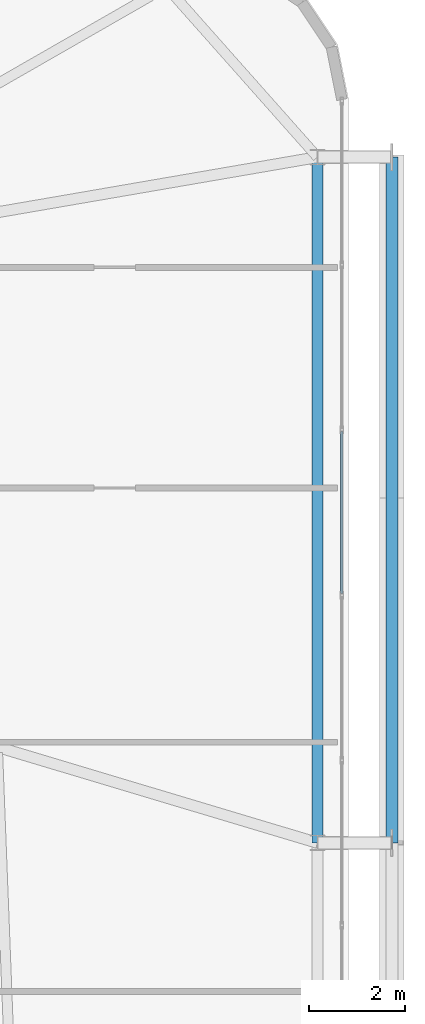
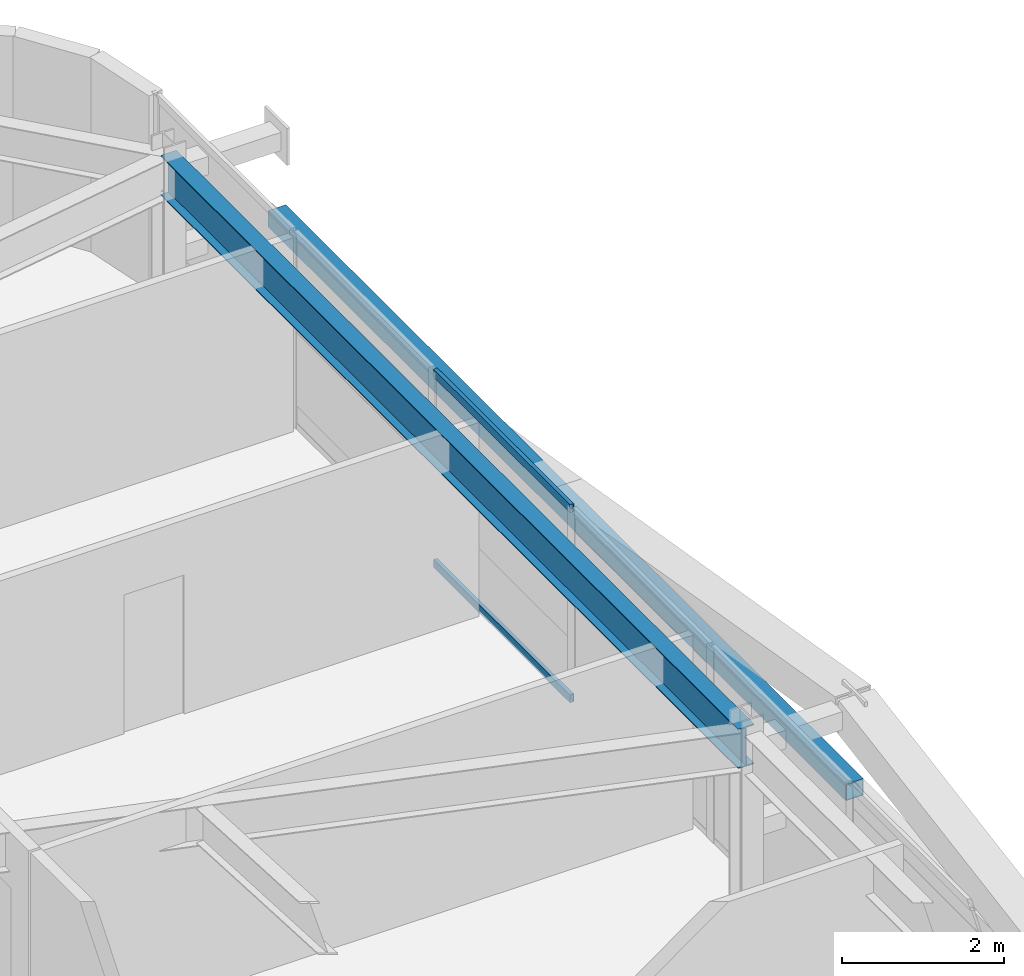
# One storey, part 31 of 58: 3 members, 1 beam, 1 element without a shape of its own.
"""IFC4 building model written with IfcOpenShell, lengths in metres."""

import ifcopenshell
import ifcopenshell.guid

model = None  # the IFC model being written
_history = None  # IfcOwnerHistory: only IFC2X3 demands one
_inside = {}  # id of a spatial element -> (the spatial element, [elements in it])
_under = {}  # id of a project, library or spatial element -> (it, [spatial elements below it])
_declared = {}  # id of a project -> (the project, [libraries it declares])
_typed = {}  # id of a type object -> (the type object, [elements of that type])
_made_of = {}  # id of a material, layer set ... -> (it, [elements and type objects made of it])


def new_model(schema):
    """Start an empty IFC model of exactly this schema.

    Asked for "IFC4X3", IfcOpenShell would pick the latest addendum, in which some entities
    have other attributes; the version numbers below select the first issue.
    IFC2X3 requires an IfcOwnerHistory on every rooted entity: one is made here for all.
    """
    global model, _history
    if schema == "IFC4X3":
        model = ifcopenshell.file(schema_version=(4, 3, 0, 0))
    else:
        model = ifcopenshell.file(schema=schema)
    _inside.clear()
    _under.clear()
    _declared.clear()
    _typed.clear()
    _made_of.clear()
    _history = None
    if model.schema == "IFC2X3":
        org = make("IfcOrganization", Name="unknown")
        user = make(
            "IfcPersonAndOrganization",
            ThePerson=make("IfcPerson", FamilyName="unknown"),
            TheOrganization=org,
        )
        app = make(
            "IfcApplication",
            ApplicationDeveloper=org,
            Version="unknown",
            ApplicationFullName="unknown",
            ApplicationIdentifier="unknown",
        )
        _history = make(
            "IfcOwnerHistory",
            OwningUser=user,
            OwningApplication=app,
            ChangeAction="ADDED",
            CreationDate=0,
        )
    return model


def make(cls, **values):
    """One entity of the class cls with the attributes given. An attribute that is None is left unset."""
    return model.create_entity(
        cls, **{name: value for name, value in values.items() if value is not None}
    )


def rooted(cls, **values):
    """An entity with a GlobalId (a new one), such as an element, a storey or a relation."""
    return make(cls, GlobalId=ifcopenshell.guid.new(), OwnerHistory=_history, **values)


def si_unit(unit_type, name, prefix=None):
    """IfcSIUnit, for example si_unit("LENGTHUNIT", "METRE", prefix="MILLI")."""
    return make("IfcSIUnit", UnitType=unit_type, Prefix=prefix, Name=name)


def assignment(units):
    """IfcUnitAssignment: the units of a project."""
    return None if units is None else make("IfcUnitAssignment", Units=units)


def point(xyz):
    """IfcCartesianPoint."""
    return None if xyz is None else make("IfcCartesianPoint", Coordinates=xyz)


def direction(xyz):
    """IfcDirection."""
    return None if xyz is None else make("IfcDirection", DirectionRatios=xyz)


def frame(location, z_axis=None, x_axis=None):
    """IfcAxis2Placement3D, a coordinate frame: its origin and axes. An axis left out is left unset."""
    return make(
        "IfcAxis2Placement3D",
        Location=point(location),
        Axis=direction(z_axis),
        RefDirection=direction(x_axis),
    )


def frame_2d(location, x_axis=None):
    """IfcAxis2Placement2D, a coordinate frame in the plane: its origin and x axis."""
    return make(
        "IfcAxis2Placement2D", Location=point(location), RefDirection=direction(x_axis)
    )


def origin():
    """The frame at (0, 0, 0) with its axes left unset."""
    return frame((0.0, 0.0, 0.0))


def origin_2d():
    """The frame at (0, 0) in the plane with its x axis left unset."""
    return frame_2d((0.0, 0.0))


def place(relative_to, where):
    """IfcLocalPlacement: puts the frame where relative to a parent placement (None: the world)."""
    return make(
        "IfcLocalPlacement", PlacementRelTo=relative_to, RelativePlacement=where
    )


def context(
    kind, dimensions, precision=None, world=None, true_north=None, identifier=None
):
    """IfcGeometricRepresentationContext, for example the 3D "Model" context."""
    return make(
        "IfcGeometricRepresentationContext",
        ContextIdentifier=identifier,
        ContextType=kind,
        CoordinateSpaceDimension=dimensions,
        Precision=precision,
        WorldCoordinateSystem=world,
        TrueNorth=true_north,
    )


def subcontext(parent, identifier, kind, view, scale=None):
    """IfcGeometricRepresentationSubContext, for example "Body" below "Model"."""
    return make(
        "IfcGeometricRepresentationSubContext",
        ContextIdentifier=identifier,
        ContextType=kind,
        ParentContext=parent,
        TargetScale=scale,
        TargetView=view,
    )


def project(units=None, contexts=None):
    """IfcProject with its units and contexts."""
    return rooted(
        "IfcProject",
        Name="project",
        RepresentationContexts=contexts,
        UnitsInContext=assignment(units),
    )


def spatial(cls, under=None, at=None, **own):
    """A site, building, storey or space (cls), placed at a placement, below another one or the project."""
    s = rooted(cls, ObjectPlacement=at, **own)
    if under is not None:
        _under.setdefault(under.id(), (under, []))[1].append(s)
    return s


def profile(cls, at=None, kind="AREA", **sizes):
    """A parametric profile (cls). Its sizes go by their IFC names, for example OverallWidth=200.0."""
    return make(cls, ProfileType=kind, Position=at, **sizes)


def hollow_rectangle(**sizes):
    """IfcRectangleHollowProfileDef."""
    return profile("IfcRectangleHollowProfileDef", **sizes)


def i_section(**sizes):
    """IfcIShapeProfileDef."""
    return profile("IfcIShapeProfileDef", **sizes)


def extrude(swept, where, along, depth):
    """IfcExtrudedAreaSolid: the profile swept, set in the frame where, extruded along a direction by depth."""
    return make(
        "IfcExtrudedAreaSolid",
        SweptArea=swept,
        Position=where,
        ExtrudedDirection=direction(along),
        Depth=depth,
    )


def shape(context_of_items, identifier, shape_type, items):
    """IfcShapeRepresentation: the items that make up one representation, for example the "Body"."""
    return make(
        "IfcShapeRepresentation",
        ContextOfItems=context_of_items,
        RepresentationIdentifier=identifier,
        RepresentationType=shape_type,
        Items=items,
    )


def source(mapping_origin, context_of_items, identifier, shape_type, items):
    """IfcRepresentationMap: a shape defined once, which mapped items show again and again."""
    return make(
        "IfcRepresentationMap",
        MappingOrigin=mapping_origin,
        MappedRepresentation=shape(context_of_items, identifier, shape_type, items),
    )


def transform(
    local_origin,
    x_axis=None,
    y_axis=None,
    z_axis=None,
    scale=None,
    scale2=None,
    scale3=None,
    uniform=True,
):
    """IfcCartesianTransformationOperator3D, or its non-uniform kind. x_axis, y_axis, z_axis: its Axis1, 2, 3."""
    if uniform:
        return make(
            "IfcCartesianTransformationOperator3D",
            Axis1=direction(x_axis),
            Axis2=direction(y_axis),
            LocalOrigin=point(local_origin),
            Scale=scale,
            Axis3=direction(z_axis),
        )
    return make(
        "IfcCartesianTransformationOperator3DnonUniform",
        Axis1=direction(x_axis),
        Axis2=direction(y_axis),
        LocalOrigin=point(local_origin),
        Scale=scale,
        Axis3=direction(z_axis),
        Scale2=scale2,
        Scale3=scale3,
    )


def mapped(mapping_source, mapping_target):
    """IfcMappedItem: shows the shape of a source again, moved by a transform."""
    return make(
        "IfcMappedItem", MappingSource=mapping_source, MappingTarget=mapping_target
    )


def material(Name=None, Category=None):
    """IfcMaterial."""
    return make("IfcMaterial", Name=Name, Category=Category)


def layer(
    of_material, thickness, ventilated=None, Name=None, Category=None, Priority=None
):
    """IfcMaterialLayer: one layer of a wall or slab, of a material (None: an air gap)."""
    return make(
        "IfcMaterialLayer",
        Material=of_material,
        LayerThickness=thickness,
        IsVentilated=ventilated,
        Name=Name,
        Category=Category,
        Priority=Priority,
    )


def layer_set(layers, Name=None):
    """IfcMaterialLayerSet."""
    return make("IfcMaterialLayerSet", MaterialLayers=layers, LayerSetName=Name)


def material_profile(
    of_material, cross_section, Name=None, Category=None, Priority=None
):
    """IfcMaterialProfile: a cross section and its material."""
    return make(
        "IfcMaterialProfile",
        Name=Name,
        Material=of_material,
        Profile=cross_section,
        Priority=Priority,
        Category=Category,
    )


def profile_set(profiles, Name=None, composite=None):
    """IfcMaterialProfileSet."""
    return make(
        "IfcMaterialProfileSet",
        Name=Name,
        MaterialProfiles=profiles,
        CompositeProfile=composite,
    )


def made_of(thing, what):
    """Note that an element or type object is made of a material, layer set ...; save() writes the relation."""
    if what is not None:
        _made_of.setdefault(what.id(), (what, []))[1].append(thing)
    return thing


def type_object(cls, material=None, **own):
    """A type object (cls), such as IfcWallType, which elements share."""
    return made_of(rooted(cls, **own), material)


def element(
    cls,
    number,
    at=None,
    inside=None,
    cuts=None,
    type_object=None,
    material=None,
    context=None,
    identifier="Body",
    shape_type=None,
    held_by="IfcProductDefinitionShape",
    body=None,
    shapes=None,
    **own,
):
    """One element of the class cls, such as IfcWall. Its Tag is "e" and its number.

    at: its placement. inside: the storey or other place that contains it. cuts: it is an
    opening in that element (IfcRelVoidsElement). A single representation is given by context,
    identifier, shape_type and body (its items); several are given by shapes. held_by: the class
    of the entity that holds the representations. save() writes the other relations.
    """
    e = rooted(cls, Tag="e%d" % number, ObjectPlacement=at, **own)
    if body is not None:
        shapes = [shape(context, identifier, shape_type, body)]
    if shapes is not None:
        e.Representation = make(held_by, Representations=shapes)
    if inside is not None:
        _inside.setdefault(inside.id(), (inside, []))[1].append(e)
    if cuts is not None:
        rooted(
            "IfcRelVoidsElement", RelatingBuildingElement=cuts, RelatedOpeningElement=e
        )
    if type_object is not None:
        _typed.setdefault(type_object.id(), (type_object, []))[1].append(e)
    return made_of(e, material)


def aggregate(whole, parts):
    """IfcRelAggregates: a whole, such as a stair, and the parts it consists of."""
    return rooted("IfcRelAggregates", RelatingObject=whole, RelatedObjects=parts)


def save(model, path):
    """Write the relations noted so far, then the file.

    IfcRelAggregates (storeys below a building ...), IfcRelContainedInSpatialStructure (elements
    in a storey), IfcRelDefinesByType, IfcRelAssociatesMaterial and IfcRelDeclares: one each for
    every whole, place, type object, material and project.
    """
    for whole, parts in _under.values():
        aggregate(whole, parts)
    for where, things in _inside.values():
        rooted(
            "IfcRelContainedInSpatialStructure",
            RelatedElements=things,
            RelatingStructure=where,
        )
    for kind, things in _typed.values():
        rooted("IfcRelDefinesByType", RelatedObjects=things, RelatingType=kind)
    for what, things in _made_of.values():
        rooted("IfcRelAssociatesMaterial", RelatedObjects=things, RelatingMaterial=what)
    for by, libraries in _declared.values():
        rooted("IfcRelDeclares", RelatingContext=by, RelatedDefinitions=libraries)
    model.write(path)


model = new_model("IFC4")

# Units and contexts
model_context = context("Model", 3, precision=1e-05, world=origin(), true_north=direction((0.0, 1.0)))
body_context = subcontext(model_context, "Body", "Model", "MODEL_VIEW")
ifc_project = project(units=[si_unit("LENGTHUNIT", "METRE"), si_unit("AREAUNIT", "SQUARE_METRE"), si_unit("VOLUMEUNIT", "CUBIC_METRE"), si_unit("PLANEANGLEUNIT", "RADIAN"), si_unit("MASSUNIT", "GRAM", prefix="KILO")], contexts=[model_context])

# Site, building, storey
site_placement = place(None, origin())
site = spatial("IfcSite", under=ifc_project, at=site_placement, CompositionType="ELEMENT")
building_placement = place(site_placement, origin())
building = spatial("IfcBuilding", under=site, at=building_placement, Name="Taldren Reach Tower", CompositionType="ELEMENT")
storey_placement = place(building_placement, frame((0.0, 0.0, 54.60009765625)))
storey = spatial("IfcBuildingStorey", under=building, at=storey_placement, Name="L16", CompositionType="ELEMENT", Elevation=54.60009765625)

# Beam
ifc_material_1 = material(Name="Steel Gr 350 (350PLUS)", Category="steel")
ifc_material_profile_1 = material_profile(ifc_material_1, i_section(OverallWidth=0.22802734375, OverallDepth=0.60205078125, WebThickness=0.010498046875, FlangeThickness=0.014892578125, at=origin_2d()), Name="610UB101")
ifc_profile_set_1 = profile_set([ifc_material_profile_1], Name="Steel Gr 350 (350PLUS)")
beam_type = type_object("IfcBeamType", Name="BM-UB610B", PredefinedType="BEAM", material=ifc_profile_set_1)
shared_shape_1 = source(origin(), body_context, "Body", "SweptSolid", [
    extrude(i_section(OverallWidth=0.22802734375, OverallDepth=0.60205078125, WebThickness=0.010498046875, FlangeThickness=0.014892578125, at=origin_2d()), origin(), (0.0, 0.0, 1.0), 14.300048828125),
])
beam_placement = place(storey_placement, frame((64.35009765625, 20.0, 2.62890625), z_axis=(0.0, 1.0, 0.0), x_axis=(-1.0, 0.0, 0.0)))
element("IfcBeam", 1, at=beam_placement, inside=storey, type_object=beam_type, Name="Perimeter gable girder B1 E2-E3 L16", PredefinedType="BEAM", context=body_context, shape_type="MappedRepresentation", body=[
    mapped(shared_shape_1, transform((0.0, 0.0, 0.0), scale=1.0)),
])

# Member
ifc_material_2 = material(Name="Steel Gr 350 (C350L0)", Category="steel")
ifc_material_profile_2 = material_profile(ifc_material_2, hollow_rectangle(XDim=0.25, YDim=0.25, WallThickness=0.010009765625, at=origin_2d()), Name="250x250x10.0SHS")
ifc_profile_set_2 = profile_set([ifc_material_profile_2], Name="Steel Gr 350 (C350L0)")
member_type_1 = type_object("IfcMemberType", Name="MB-POST250", PredefinedType="POST", material=ifc_profile_set_2)
shared_shape_2 = source(origin(), body_context, "Body", "SweptSolid", [
    extrude(hollow_rectangle(XDim=0.25, YDim=0.25, WallThickness=0.010009765625, at=origin_2d()), origin(), (0.0, 0.0, 1.0), 14.300048828125),
])
member_1_placement = place(storey_placement, frame((65.89990234375, 20.0, 1.434814453125), z_axis=(0.0, 1.0, 0.0), x_axis=(-1.0, 0.0, 0.0)))
element("IfcMember", 2, at=member_1_placement, inside=storey, type_object=member_type_1, Name="Exoskeleton mid-height ring chord B1-E2 L16", PredefinedType="POST", context=body_context, shape_type="MappedRepresentation", body=[
    mapped(shared_shape_2, transform((0.0, 0.0, 0.0), scale=1.0)),
])

# Curtain wall, members
ifc_material_3 = material(Name="Aluminium and Low-E Glass Unitised System", Category="aluminium")
ifc_layer = layer(ifc_material_3, 0.159912109375)
ifc_layer_set = layer_set([ifc_layer], Name="Aluminium and Low-E Glass Unitised System")
curtain_wall_type = type_object("IfcCurtainWallType", Name="CW-SYS-2", PredefinedType="NOTDEFINED", material=ifc_layer_set)
curtain_wall_placement = place(storey_placement, origin())
curtain_wall = element("IfcCurtainWall", 3, at=curtain_wall_placement, inside=storey, type_object=curtain_wall_type, Name="Unitised curtain wall CW-L16-E", PredefinedType="NOTDEFINED")
ifc_material_4 = material(Name="Anodised Aluminium 6063-T6", Category="aluminium")
ifc_material_profile_3 = material_profile(ifc_material_4, hollow_rectangle(XDim=0.054931640625, YDim=0.1201171875, WallThickness=0.0029296875, at=origin_2d()), Name="ALU-120x55x3RHS")
ifc_profile_set_3 = profile_set([ifc_material_profile_3], Name="Anodised Aluminium 6063-T6")
member_type_2 = type_object("IfcMemberType", Name="CW-TRN-135", PredefinedType="USERDEFINED", material=ifc_profile_set_3)
shared_shape_3 = source(origin(), body_context, "Body", "SweptSolid", [
    extrude(hollow_rectangle(XDim=0.054931640625, YDim=0.1201171875, WallThickness=0.0029296875, at=origin_2d()), origin(), (0.0, 0.0, 1.0), 3.37939453125),
])
member_2_placement = place(storey_placement, frame((64.860107421875, 25.19921875, 0.02734375), z_axis=(0.0, 1.0, 0.0), x_axis=(-1.0, 0.0, 0.0)))
member_2 = element("IfcMember", 4, at=member_2_placement, type_object=member_type_2, Name="CW-2 transom 7.1", ObjectType="TRANSOM", PredefinedType="USERDEFINED", context=body_context, shape_type="MappedRepresentation", body=[
    mapped(shared_shape_3, transform((0.0, 0.0, 0.0), scale=1.0)),
])
member_3_placement = place(storey_placement, frame((64.860107421875, 25.19921875, 2.90234375), z_axis=(0.0, 1.0, 0.0), x_axis=(-1.0, 0.0, 0.0)))
member_3 = element("IfcMember", 5, at=member_3_placement, type_object=member_type_2, Name="CW-2 transom 7.2", ObjectType="TRANSOM", PredefinedType="USERDEFINED", context=body_context, shape_type="MappedRepresentation", body=[
    mapped(shared_shape_3, transform((0.0, 0.0, 0.0), scale=1.0)),
])
aggregate(curtain_wall, [member_2, member_3])

save(model, "model.ifc")
